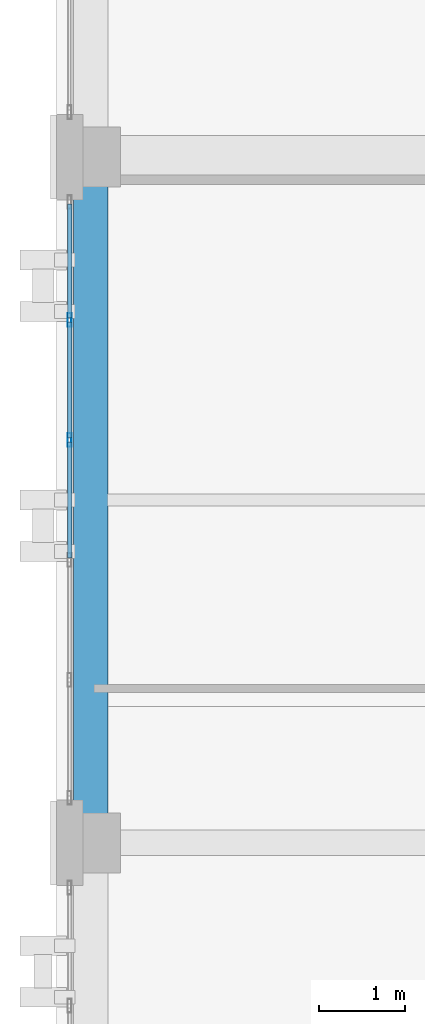
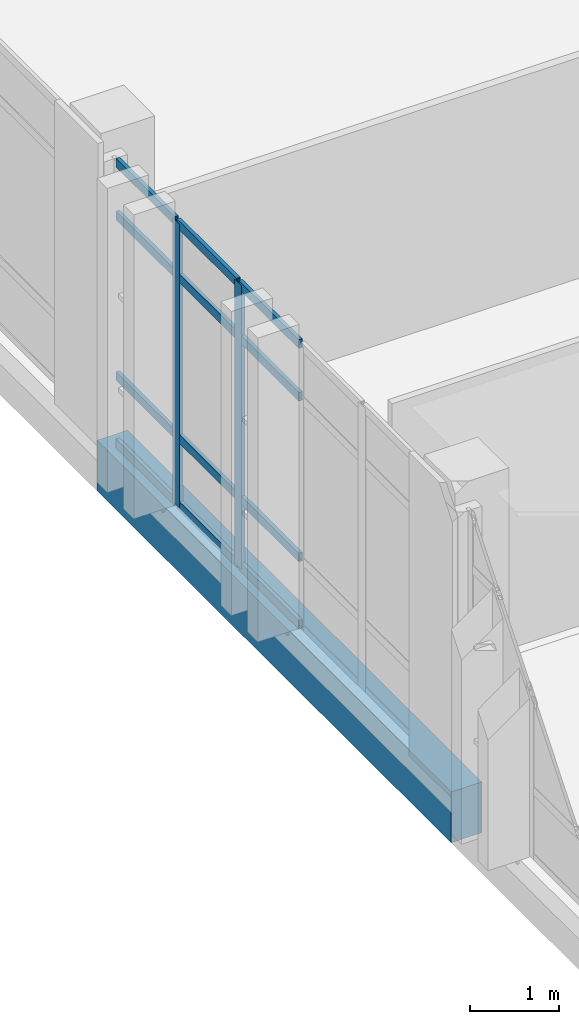
# One storey, part 70 of 193: 14 members, 1 beam, 1 element without a shape of its own.
"""IFC4 building model written with IfcOpenShell, lengths in metres."""

from ifc_helpers import new_model, si_unit, direction, frame, origin, origin_2d, place, context, subcontext, project, spatial, rectangle, hollow_rectangle, extrude, material, layer, layer_set, material_profile, profile_set, type_object, element, aggregate, save


model = new_model("IFC4")

# Units and contexts
model_context = context("Model", 3, precision=1e-05, world=origin(), true_north=direction((0.0, 1.0)))
body_context = subcontext(model_context, "Body", "Model", "MODEL_VIEW")
ifc_project = project(units=[si_unit("LENGTHUNIT", "METRE"), si_unit("AREAUNIT", "SQUARE_METRE"), si_unit("VOLUMEUNIT", "CUBIC_METRE"), si_unit("PLANEANGLEUNIT", "RADIAN"), si_unit("MASSUNIT", "GRAM", prefix="KILO")], contexts=[model_context])

# Site, building, storey
site_placement = place(None, origin())
site = spatial("IfcSite", under=ifc_project, at=site_placement, CompositionType="ELEMENT")
building_placement = place(site_placement, origin())
building = spatial("IfcBuilding", under=site, at=building_placement, Name="Qalavern Law Courts", CompositionType="ELEMENT")
storey_placement = place(building_placement, frame((0.0, 0.0, 10.199951171875)))
storey = spatial("IfcBuildingStorey", under=building, at=storey_placement, Name="L02", CompositionType="ELEMENT", Elevation=10.199951171875)

# Curtain wall, members
ifc_material_1 = material(Name="Anodised aluminium and insulated glazing", Category="aluminium")
ifc_layer = layer(ifc_material_1, 0.172119140625)
ifc_layer_set = layer_set([ifc_layer], Name="Anodised aluminium and insulated glazing")
curtain_wall_type = type_object("IfcCurtainWallType", Name="ENV-CW-COURT", PredefinedType="USERDEFINED", material=ifc_layer_set)
curtain_wall_placement = place(storey_placement, origin())
curtain_wall = element("IfcCurtainWall", 1, at=curtain_wall_placement, inside=storey, type_object=curtain_wall_type, Name="V3 unitised curtain wall L02 west 4", ObjectType="UNITISED CURTAIN WALL", PredefinedType="USERDEFINED")
ifc_material_2 = material(Name="Anodised aluminium", Category="aluminium")
ifc_material_profile_1 = material_profile(ifc_material_2, hollow_rectangle(XDim=0.048095703125, YDim=0.159912109375, WallThickness=0.00390625, at=origin_2d()), Name="ALU MULLION 48x160")
ifc_profile_set_1 = profile_set([ifc_material_profile_1], Name="Anodised aluminium")
member_type_1 = type_object("IfcMemberType", Name="ENV-CWM-48x160", PredefinedType="MULLION", material=ifc_profile_set_1)
member_1_placement = place(storey_placement, frame((2.155029296875, 71.5, 0.0), z_axis=(0.0, 0.0, 1.0), x_axis=(1.0, 0.0, 0.0)))
member_1 = element("IfcMember", 2, at=member_1_placement, type_object=member_type_1, Name="CW-03 mullion 2", PredefinedType="MULLION", context=body_context, shape_type="SweptSolid", body=[
    extrude(hollow_rectangle(XDim=0.048095703125, YDim=0.159912109375, WallThickness=0.00390625, at=origin_2d()), origin(), (0.0, 0.0, 1.0), 3.9150390625),
])
member_2_placement = place(storey_placement, frame((2.155029296875, 70.10009765625, 0.0), z_axis=(0.0, 0.0, 1.0), x_axis=(1.0, 0.0, 0.0)))
member_2 = element("IfcMember", 3, at=member_2_placement, type_object=member_type_1, Name="CW-03 mullion 3", PredefinedType="MULLION", context=body_context, shape_type="SweptSolid", body=[
    extrude(hollow_rectangle(XDim=0.048095703125, YDim=0.159912109375, WallThickness=0.00390625, at=origin_2d()), origin(), (0.0, 0.0, 1.0), 3.9150390625),
])
ifc_material_profile_2 = material_profile(ifc_material_2, hollow_rectangle(XDim=0.048095703125, YDim=0.1201171875, WallThickness=0.00390625, at=origin_2d()), Name="ALU TRANSOM 48x120")
ifc_profile_set_2 = profile_set([ifc_material_profile_2], Name="Anodised aluminium")
member_type_2 = type_object("IfcMemberType", Name="ENV-CWT-48x120", PredefinedType="USERDEFINED", material=ifc_profile_set_2)
member_3_placement = place(storey_placement, frame((2.155029296875, 72.85205078125, 0.024169921875), z_axis=(0.0, -1.0, 0.0), x_axis=(1.0, 0.0, 0.0)))
member_3 = element("IfcMember", 4, at=member_3_placement, type_object=member_type_2, Name="CW-03 transom 1.1", ObjectType="TRANSOM", PredefinedType="USERDEFINED", context=body_context, shape_type="SweptSolid", body=[
    extrude(hollow_rectangle(XDim=0.048095703125, YDim=0.1201171875, WallThickness=0.00390625, at=origin_2d()), origin(), (0.0, 0.0, 1.0), 1.328125),
])
member_4_placement = place(storey_placement, frame((2.155029296875, 72.85205078125, 0.949951171875), z_axis=(0.0, -1.0, 0.0), x_axis=(1.0, 0.0, 0.0)))
member_4 = element("IfcMember", 5, at=member_4_placement, type_object=member_type_2, Name="CW-03 transom 1.2", ObjectType="TRANSOM", PredefinedType="USERDEFINED", context=body_context, shape_type="SweptSolid", body=[
    extrude(hollow_rectangle(XDim=0.048095703125, YDim=0.1201171875, WallThickness=0.00390625, at=origin_2d()), origin(), (0.0, 0.0, 1.0), 1.328125),
])
member_5_placement = place(storey_placement, frame((2.155029296875, 72.85205078125, 3.1650390625), z_axis=(0.0, -1.0, 0.0), x_axis=(1.0, 0.0, 0.0)))
member_5 = element("IfcMember", 6, at=member_5_placement, type_object=member_type_2, Name="CW-03 transom 1.3", ObjectType="TRANSOM", PredefinedType="USERDEFINED", context=body_context, shape_type="SweptSolid", body=[
    extrude(hollow_rectangle(XDim=0.048095703125, YDim=0.1201171875, WallThickness=0.00390625, at=origin_2d()), origin(), (0.0, 0.0, 1.0), 1.328125),
])
member_6_placement = place(storey_placement, frame((2.155029296875, 72.85205078125, 3.89111328125), z_axis=(0.0, -1.0, 0.0), x_axis=(1.0, 0.0, 0.0)))
member_6 = element("IfcMember", 7, at=member_6_placement, type_object=member_type_2, Name="CW-03 transom 1.4", ObjectType="TRANSOM", PredefinedType="USERDEFINED", context=body_context, shape_type="SweptSolid", body=[
    extrude(hollow_rectangle(XDim=0.048095703125, YDim=0.1201171875, WallThickness=0.00390625, at=origin_2d()), origin(), (0.0, 0.0, 1.0), 1.328125),
])
member_7_placement = place(storey_placement, frame((2.155029296875, 71.47607421875, 0.024169921875), z_axis=(0.0, -1.0, 0.0), x_axis=(1.0, 0.0, 0.0)))
member_7 = element("IfcMember", 8, at=member_7_placement, type_object=member_type_2, Name="CW-03 transom 2.1", ObjectType="TRANSOM", PredefinedType="USERDEFINED", context=body_context, shape_type="SweptSolid", body=[
    extrude(hollow_rectangle(XDim=0.048095703125, YDim=0.1201171875, WallThickness=0.00390625, at=origin_2d()), origin(), (0.0, 0.0, 1.0), 1.35205078125),
])
member_8_placement = place(storey_placement, frame((2.155029296875, 71.47607421875, 0.949951171875), z_axis=(0.0, -1.0, 0.0), x_axis=(1.0, 0.0, 0.0)))
member_8 = element("IfcMember", 9, at=member_8_placement, type_object=member_type_2, Name="CW-03 transom 2.2", ObjectType="TRANSOM", PredefinedType="USERDEFINED", context=body_context, shape_type="SweptSolid", body=[
    extrude(hollow_rectangle(XDim=0.048095703125, YDim=0.1201171875, WallThickness=0.00390625, at=origin_2d()), origin(), (0.0, 0.0, 1.0), 1.35205078125),
])
member_9_placement = place(storey_placement, frame((2.155029296875, 71.47607421875, 3.1650390625), z_axis=(0.0, -1.0, 0.0), x_axis=(1.0, 0.0, 0.0)))
member_9 = element("IfcMember", 10, at=member_9_placement, type_object=member_type_2, Name="CW-03 transom 2.3", ObjectType="TRANSOM", PredefinedType="USERDEFINED", context=body_context, shape_type="SweptSolid", body=[
    extrude(hollow_rectangle(XDim=0.048095703125, YDim=0.1201171875, WallThickness=0.00390625, at=origin_2d()), origin(), (0.0, 0.0, 1.0), 1.35205078125),
])
member_10_placement = place(storey_placement, frame((2.155029296875, 71.47607421875, 3.89111328125), z_axis=(0.0, -1.0, 0.0), x_axis=(1.0, 0.0, 0.0)))
member_10 = element("IfcMember", 11, at=member_10_placement, type_object=member_type_2, Name="CW-03 transom 2.4", ObjectType="TRANSOM", PredefinedType="USERDEFINED", context=body_context, shape_type="SweptSolid", body=[
    extrude(hollow_rectangle(XDim=0.048095703125, YDim=0.1201171875, WallThickness=0.00390625, at=origin_2d()), origin(), (0.0, 0.0, 1.0), 1.35205078125),
])
member_11_placement = place(storey_placement, frame((2.155029296875, 70.075927734375, 0.024169921875), z_axis=(0.0, -1.0, 0.0), x_axis=(1.0, 0.0, 0.0)))
member_11 = element("IfcMember", 12, at=member_11_placement, type_object=member_type_2, Name="CW-03 transom 3.1", ObjectType="TRANSOM", PredefinedType="USERDEFINED", context=body_context, shape_type="SweptSolid", body=[
    extrude(hollow_rectangle(XDim=0.048095703125, YDim=0.1201171875, WallThickness=0.00390625, at=origin_2d()), origin(), (0.0, 0.0, 1.0), 1.351806640625),
])
member_12_placement = place(storey_placement, frame((2.155029296875, 70.075927734375, 0.949951171875), z_axis=(0.0, -1.0, 0.0), x_axis=(1.0, 0.0, 0.0)))
member_12 = element("IfcMember", 13, at=member_12_placement, type_object=member_type_2, Name="CW-03 transom 3.2", ObjectType="TRANSOM", PredefinedType="USERDEFINED", context=body_context, shape_type="SweptSolid", body=[
    extrude(hollow_rectangle(XDim=0.048095703125, YDim=0.1201171875, WallThickness=0.00390625, at=origin_2d()), origin(), (0.0, 0.0, 1.0), 1.351806640625),
])
member_13_placement = place(storey_placement, frame((2.155029296875, 70.075927734375, 3.1650390625), z_axis=(0.0, -1.0, 0.0), x_axis=(1.0, 0.0, 0.0)))
member_13 = element("IfcMember", 14, at=member_13_placement, type_object=member_type_2, Name="CW-03 transom 3.3", ObjectType="TRANSOM", PredefinedType="USERDEFINED", context=body_context, shape_type="SweptSolid", body=[
    extrude(hollow_rectangle(XDim=0.048095703125, YDim=0.1201171875, WallThickness=0.00390625, at=origin_2d()), origin(), (0.0, 0.0, 1.0), 1.351806640625),
])
member_14_placement = place(storey_placement, frame((2.155029296875, 70.075927734375, 3.89111328125), z_axis=(0.0, -1.0, 0.0), x_axis=(1.0, 0.0, 0.0)))
member_14 = element("IfcMember", 15, at=member_14_placement, type_object=member_type_2, Name="CW-03 transom 3.4", ObjectType="TRANSOM", PredefinedType="USERDEFINED", context=body_context, shape_type="SweptSolid", body=[
    extrude(hollow_rectangle(XDim=0.048095703125, YDim=0.1201171875, WallThickness=0.00390625, at=origin_2d()), origin(), (0.0, 0.0, 1.0), 1.351806640625),
])
aggregate(curtain_wall, [member_1, member_2, member_3, member_4, member_5, member_6, member_7, member_8, member_9, member_10, member_11, member_12, member_13, member_14])

# Beam
ifc_material_3 = material(Name="Concrete C40/50", Category="concrete")
ifc_material_profile_3 = material_profile(ifc_material_3, rectangle(XDim=0.39990234375, YDim=0.699951171875, at=origin_2d()), Name="RC 400x700")
ifc_profile_set_3 = profile_set([ifc_material_profile_3], Name="Concrete C40/50")
beam_type = type_object("IfcBeamType", Name="STR-SP-RC400x700", PredefinedType="SPANDREL", material=ifc_profile_set_3)
beam_placement = place(storey_placement, frame((2.39990234375, 65.39990234375, -0.639892578125), z_axis=(0.0, 1.0, 0.0), x_axis=(-1.0, 0.0, 0.0)))
element("IfcBeam", 16, at=beam_placement, inside=storey, type_object=beam_type, Name="V3 Y-beam 1-4 L02", PredefinedType="SPANDREL", context=body_context, shape_type="SweptSolid", body=[
    extrude(rectangle(XDim=0.39990234375, YDim=0.699951171875, at=origin_2d()), origin(), (0.0, 0.0, 1.0), 8.0),
])

save(model, "model.ifc")
